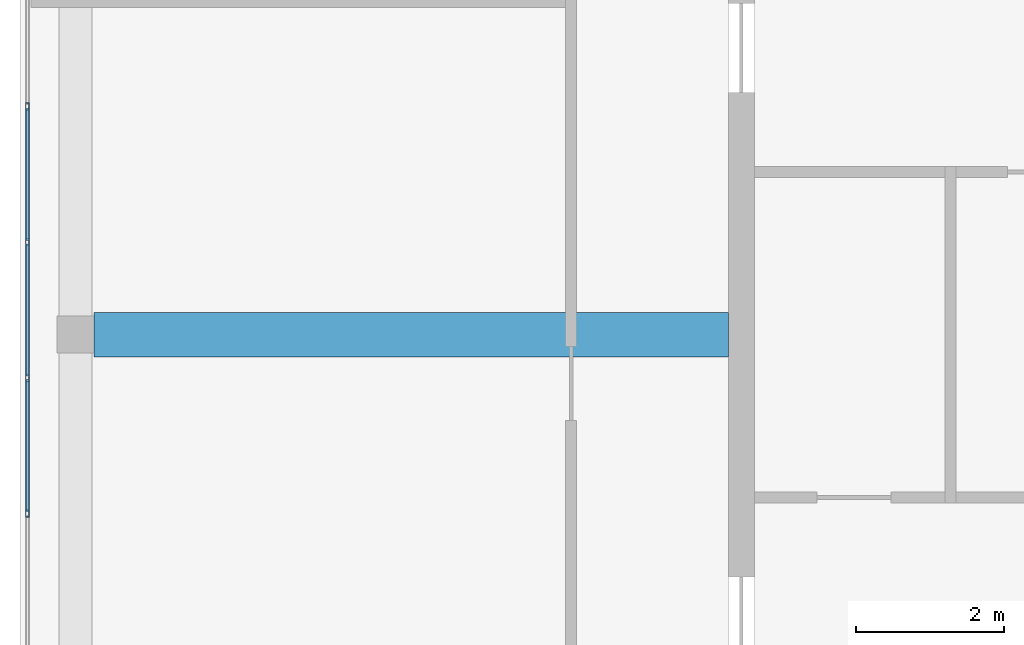
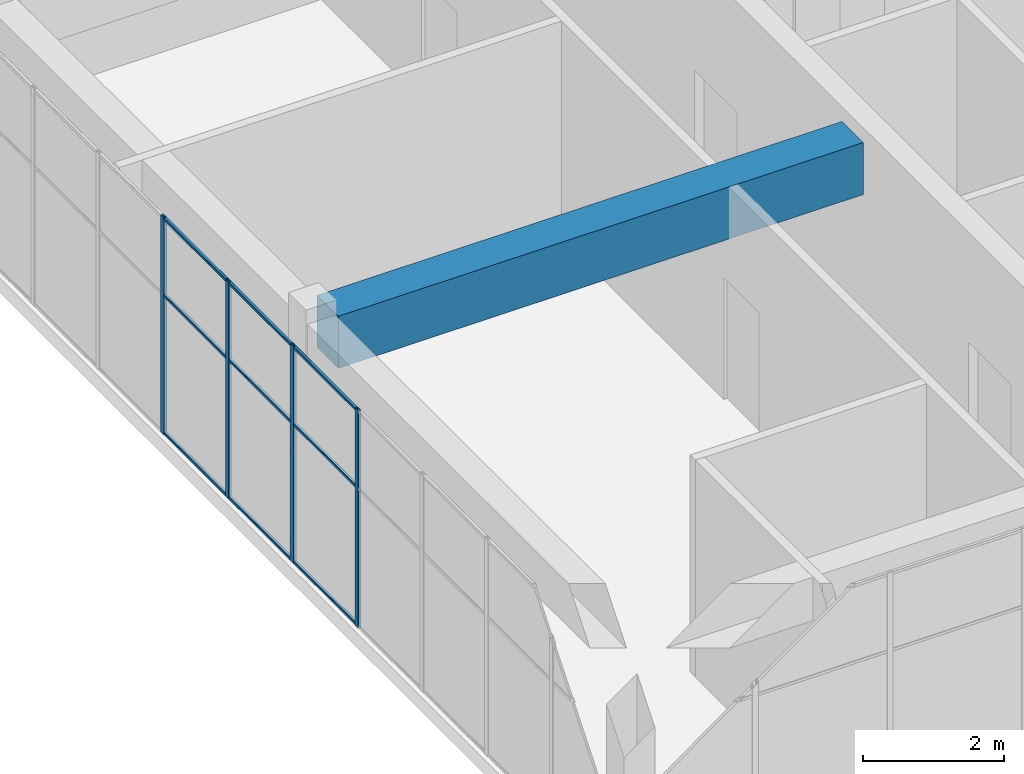
# One storey, part 11 of 34: 13 members, 1 beam, 1 element without a shape of its own.
"""IFC4 building model written with IfcOpenShell, lengths in metres."""

from ifc_helpers import new_model, si_unit, direction, frame, origin, origin_2d, place, context, subcontext, project, spatial, rectangle, hollow_rectangle, extrude, material, layer, layer_set, material_profile, profile_set, type_object, element, aggregate, save


model = new_model("IFC4")

# Units and contexts
model_context = context("Model", 3, precision=1e-05, world=origin(), true_north=direction((0.0, 1.0)))
body_context = subcontext(model_context, "Body", "Model", "MODEL_VIEW")
ifc_project = project(units=[si_unit("LENGTHUNIT", "METRE"), si_unit("AREAUNIT", "SQUARE_METRE"), si_unit("VOLUMEUNIT", "CUBIC_METRE"), si_unit("PLANEANGLEUNIT", "RADIAN"), si_unit("MASSUNIT", "GRAM", prefix="KILO")], contexts=[model_context])

# Site, building, storey
site_placement = place(None, origin())
site = spatial("IfcSite", under=ifc_project, at=site_placement, CompositionType="ELEMENT")
building_placement = place(site_placement, origin())
building = spatial("IfcBuilding", under=site, at=building_placement, Name="Tuart Plaza Theatre", CompositionType="ELEMENT")
storey_placement = place(building_placement, frame((0.0, 0.0, 57.5)))
storey = spatial("IfcBuildingStorey", under=building, at=storey_placement, Name="L14", CompositionType="ELEMENT", Elevation=57.5)

# Beam
ifc_material_1 = material(Name="Concrete N40 (40 MPa)", Category="concrete")
ifc_material_profile_1 = material_profile(ifc_material_1, rectangle(XDim=0.60009765625, YDim=0.89990234375, at=origin_2d()), Name="BEAM 600x900 Concrete N40 (40 MPa)")
ifc_profile_set_1 = profile_set([ifc_material_profile_1], Name="Concrete N40 (40 MPa)")
beam_type = type_object("IfcBeamType", Name="BEAM 600x900 Concrete N40 (40 MPa)", PredefinedType="BEAM", material=ifc_profile_set_1)
beam_placement = place(storey_placement, frame((114.25, 74.0, 3.300048828125), z_axis=(1.0, 0.0, 0.0), x_axis=(0.0, 1.0, 0.0)))
element("IfcBeam", 1, at=beam_placement, inside=storey, type_object=beam_type, Name="RB321", PredefinedType="BEAM", context=body_context, shape_type="SweptSolid", body=[
    extrude(rectangle(XDim=0.60009765625, YDim=0.89990234375, at=origin_2d()), origin(), (0.0, 0.0, 1.0), 8.574951171875),
])

# Curtain wall, members
ifc_material_2 = material(Name="Aluminium and glass", Category="aluminium")
ifc_layer = layer(ifc_material_2, 0.10009765625)
ifc_layer_set = layer_set([ifc_layer], Name="CURTAIN WALL 1800 module")
curtain_wall_type = type_object("IfcCurtainWallType", Name="CURTAIN WALL 1800 module", PredefinedType="NOTDEFINED", material=ifc_layer_set)
curtain_wall_placement = place(storey_placement, origin())
curtain_wall = element("IfcCurtainWall", 2, at=curtain_wall_placement, inside=storey, type_object=curtain_wall_type, Name="CW118", PredefinedType="NOTDEFINED")
ifc_material_3 = material(Name="Aluminium 6063-T5", Category="aluminium")
ifc_material_profile_2 = material_profile(ifc_material_3, hollow_rectangle(XDim=0.050048828125, YDim=0.10009765625, WallThickness=0.00390625, InnerFilletRadius=0.00390625, OuterFilletRadius=0.008056640625, at=origin_2d()), Name="RHS 100x50x4")
ifc_profile_set_2 = profile_set([ifc_material_profile_2], Name="Aluminium 6063-T5")
member_type_1 = type_object("IfcMemberType", Name="MULLION RHS 100x50x4", PredefinedType="MULLION", material=ifc_profile_set_2)
member_1_placement = place(storey_placement, frame((113.35009765625, 77.083251953125, 0.0), z_axis=(0.0, 0.0, 1.0), x_axis=(1.0, 0.0, 0.0)))
member_1 = element("IfcMember", 3, at=member_1_placement, type_object=member_type_1, Name="CW118 mullion 12", PredefinedType="MULLION", context=body_context, shape_type="SweptSolid", body=[
    extrude(hollow_rectangle(XDim=0.050048828125, YDim=0.10009765625, WallThickness=0.00390625, InnerFilletRadius=0.00390625, OuterFilletRadius=0.008056640625, at=origin_2d()), origin(), (0.0, 0.0, 1.0), 3.75),
])
member_2_placement = place(storey_placement, frame((113.35009765625, 75.25, 0.0), z_axis=(0.0, 0.0, 1.0), x_axis=(1.0, 0.0, 0.0)))
member_2 = element("IfcMember", 4, at=member_2_placement, type_object=member_type_1, Name="CW118 mullion 13", PredefinedType="MULLION", context=body_context, shape_type="SweptSolid", body=[
    extrude(hollow_rectangle(XDim=0.050048828125, YDim=0.10009765625, WallThickness=0.00390625, InnerFilletRadius=0.00390625, OuterFilletRadius=0.008056640625, at=origin_2d()), origin(), (0.0, 0.0, 1.0), 3.75),
])
member_3_placement = place(storey_placement, frame((113.35009765625, 73.416748046875, 0.0), z_axis=(0.0, 0.0, 1.0), x_axis=(1.0, 0.0, 0.0)))
member_3 = element("IfcMember", 5, at=member_3_placement, type_object=member_type_1, Name="CW118 mullion 14", PredefinedType="MULLION", context=body_context, shape_type="SweptSolid", body=[
    extrude(hollow_rectangle(XDim=0.050048828125, YDim=0.10009765625, WallThickness=0.00390625, InnerFilletRadius=0.00390625, OuterFilletRadius=0.008056640625, at=origin_2d()), origin(), (0.0, 0.0, 1.0), 3.75),
])
member_4_placement = place(storey_placement, frame((113.35009765625, 71.583251953125, 0.0), z_axis=(0.0, 0.0, 1.0), x_axis=(1.0, 0.0, 0.0)))
member_4 = element("IfcMember", 6, at=member_4_placement, type_object=member_type_1, Name="CW118 mullion 15", PredefinedType="MULLION", context=body_context, shape_type="SweptSolid", body=[
    extrude(hollow_rectangle(XDim=0.050048828125, YDim=0.10009765625, WallThickness=0.00390625, InnerFilletRadius=0.00390625, OuterFilletRadius=0.008056640625, at=origin_2d()), origin(), (0.0, 0.0, 1.0), 3.75),
])
ifc_material_4 = material(Name="Aluminium 6063-T5", Category="aluminium")
ifc_material_profile_3 = material_profile(ifc_material_4, hollow_rectangle(XDim=0.050048828125, YDim=0.050048828125, WallThickness=0.00390625, InnerFilletRadius=0.00390625, OuterFilletRadius=0.008056640625, at=origin_2d()), Name="RHS 50x50x4")
ifc_profile_set_3 = profile_set([ifc_material_profile_3], Name="Aluminium 6063-T5")
member_type_2 = type_object("IfcMemberType", Name="TRANSOM RHS 50x50x4", PredefinedType="USERDEFINED", material=ifc_profile_set_3)
member_5_placement = place(storey_placement, frame((113.35009765625, 77.058349609375, 0.02490234375), z_axis=(0.0, -1.0, 0.0), x_axis=(1.0, 0.0, 0.0)))
member_5 = element("IfcMember", 7, at=member_5_placement, type_object=member_type_2, Name="CW118 transom 12.1", ObjectType="TRANSOM", PredefinedType="USERDEFINED", context=body_context, shape_type="SweptSolid", body=[
    extrude(hollow_rectangle(XDim=0.050048828125, YDim=0.050048828125, WallThickness=0.00390625, InnerFilletRadius=0.00390625, OuterFilletRadius=0.008056640625, at=origin_2d()), origin(), (0.0, 0.0, 1.0), 1.783447265625),
])
member_6_placement = place(storey_placement, frame((113.35009765625, 77.058349609375, 2.39990234375), z_axis=(0.0, -1.0, 0.0), x_axis=(1.0, 0.0, 0.0)))
member_6 = element("IfcMember", 8, at=member_6_placement, type_object=member_type_2, Name="CW118 transom 12.2", ObjectType="TRANSOM", PredefinedType="USERDEFINED", context=body_context, shape_type="SweptSolid", body=[
    extrude(hollow_rectangle(XDim=0.050048828125, YDim=0.050048828125, WallThickness=0.00390625, InnerFilletRadius=0.00390625, OuterFilletRadius=0.008056640625, at=origin_2d()), origin(), (0.0, 0.0, 1.0), 1.783447265625),
])
member_7_placement = place(storey_placement, frame((113.35009765625, 77.058349609375, 3.72509765625), z_axis=(0.0, -1.0, 0.0), x_axis=(1.0, 0.0, 0.0)))
member_7 = element("IfcMember", 9, at=member_7_placement, type_object=member_type_2, Name="CW118 transom 12.3", ObjectType="TRANSOM", PredefinedType="USERDEFINED", context=body_context, shape_type="SweptSolid", body=[
    extrude(hollow_rectangle(XDim=0.050048828125, YDim=0.050048828125, WallThickness=0.00390625, InnerFilletRadius=0.00390625, OuterFilletRadius=0.008056640625, at=origin_2d()), origin(), (0.0, 0.0, 1.0), 1.783447265625),
])
member_8_placement = place(storey_placement, frame((113.35009765625, 75.22509765625, 0.02490234375), z_axis=(0.0, -1.0, 0.0), x_axis=(1.0, 0.0, 0.0)))
member_8 = element("IfcMember", 10, at=member_8_placement, type_object=member_type_2, Name="CW118 transom 13.1", ObjectType="TRANSOM", PredefinedType="USERDEFINED", context=body_context, shape_type="SweptSolid", body=[
    extrude(hollow_rectangle(XDim=0.050048828125, YDim=0.050048828125, WallThickness=0.00390625, InnerFilletRadius=0.00390625, OuterFilletRadius=0.008056640625, at=origin_2d()), origin(), (0.0, 0.0, 1.0), 1.783447265625),
])
member_9_placement = place(storey_placement, frame((113.35009765625, 75.22509765625, 2.39990234375), z_axis=(0.0, -1.0, 0.0), x_axis=(1.0, 0.0, 0.0)))
member_9 = element("IfcMember", 11, at=member_9_placement, type_object=member_type_2, Name="CW118 transom 13.2", ObjectType="TRANSOM", PredefinedType="USERDEFINED", context=body_context, shape_type="SweptSolid", body=[
    extrude(hollow_rectangle(XDim=0.050048828125, YDim=0.050048828125, WallThickness=0.00390625, InnerFilletRadius=0.00390625, OuterFilletRadius=0.008056640625, at=origin_2d()), origin(), (0.0, 0.0, 1.0), 1.783447265625),
])
member_10_placement = place(storey_placement, frame((113.35009765625, 75.22509765625, 3.72509765625), z_axis=(0.0, -1.0, 0.0), x_axis=(1.0, 0.0, 0.0)))
member_10 = element("IfcMember", 12, at=member_10_placement, type_object=member_type_2, Name="CW118 transom 13.3", ObjectType="TRANSOM", PredefinedType="USERDEFINED", context=body_context, shape_type="SweptSolid", body=[
    extrude(hollow_rectangle(XDim=0.050048828125, YDim=0.050048828125, WallThickness=0.00390625, InnerFilletRadius=0.00390625, OuterFilletRadius=0.008056640625, at=origin_2d()), origin(), (0.0, 0.0, 1.0), 1.783447265625),
])
member_11_placement = place(storey_placement, frame((113.35009765625, 73.3916015625, 0.02490234375), z_axis=(0.0, -1.0, 0.0), x_axis=(1.0, 0.0, 0.0)))
member_11 = element("IfcMember", 13, at=member_11_placement, type_object=member_type_2, Name="CW118 transom 14.1", ObjectType="TRANSOM", PredefinedType="USERDEFINED", context=body_context, shape_type="SweptSolid", body=[
    extrude(hollow_rectangle(XDim=0.050048828125, YDim=0.050048828125, WallThickness=0.00390625, InnerFilletRadius=0.00390625, OuterFilletRadius=0.008056640625, at=origin_2d()), origin(), (0.0, 0.0, 1.0), 1.783203125),
])
member_12_placement = place(storey_placement, frame((113.35009765625, 73.3916015625, 2.39990234375), z_axis=(0.0, -1.0, 0.0), x_axis=(1.0, 0.0, 0.0)))
member_12 = element("IfcMember", 14, at=member_12_placement, type_object=member_type_2, Name="CW118 transom 14.2", ObjectType="TRANSOM", PredefinedType="USERDEFINED", context=body_context, shape_type="SweptSolid", body=[
    extrude(hollow_rectangle(XDim=0.050048828125, YDim=0.050048828125, WallThickness=0.00390625, InnerFilletRadius=0.00390625, OuterFilletRadius=0.008056640625, at=origin_2d()), origin(), (0.0, 0.0, 1.0), 1.783203125),
])
member_13_placement = place(storey_placement, frame((113.35009765625, 73.3916015625, 3.72509765625), z_axis=(0.0, -1.0, 0.0), x_axis=(1.0, 0.0, 0.0)))
member_13 = element("IfcMember", 15, at=member_13_placement, type_object=member_type_2, Name="CW118 transom 14.3", ObjectType="TRANSOM", PredefinedType="USERDEFINED", context=body_context, shape_type="SweptSolid", body=[
    extrude(hollow_rectangle(XDim=0.050048828125, YDim=0.050048828125, WallThickness=0.00390625, InnerFilletRadius=0.00390625, OuterFilletRadius=0.008056640625, at=origin_2d()), origin(), (0.0, 0.0, 1.0), 1.783203125),
])
aggregate(curtain_wall, [member_1, member_2, member_3, member_4, member_5, member_6, member_7, member_8, member_9, member_10, member_11, member_12, member_13])

save(model, "model.ifc")
